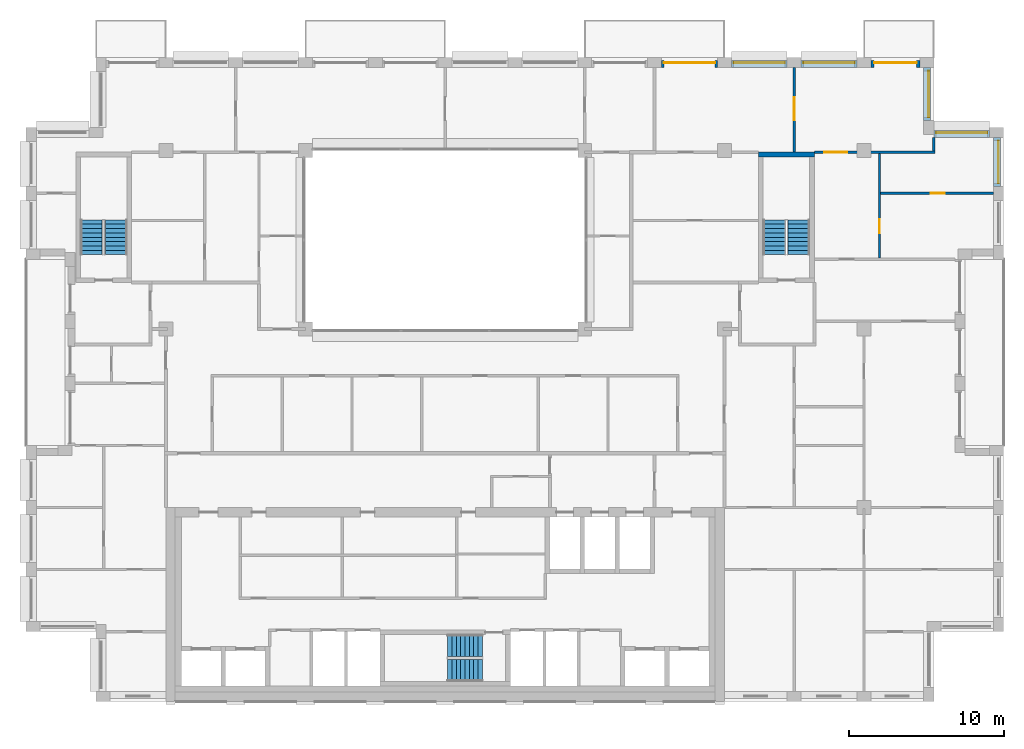
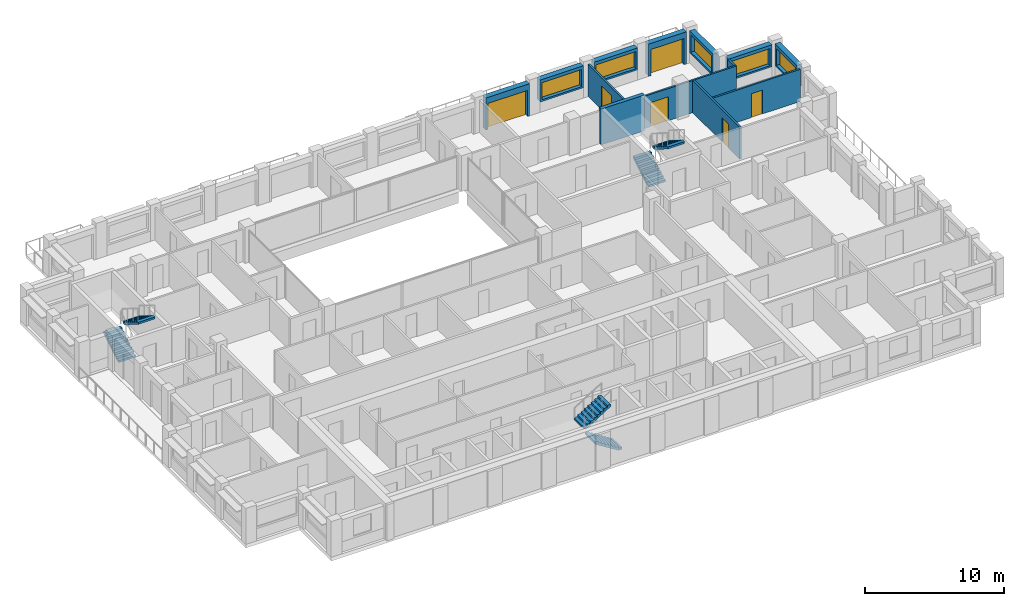
# One storey, part 14 of 15: 13 walls, 6 doors, 6 stair flights, 5 windows, 11 openings, 3 elements without a shape of their own.
"""IFC4 building model written with IfcOpenShell, lengths in metres."""

from ifc_helpers import new_model, si_unit, direction, frame, frame_2d, origin, place, context, subcontext, project, spatial, polyline, rectangle, outline, extrude, material, layer, layer_set, type_object, element, fill, aggregate, save


model = new_model("IFC4")

# Units and contexts
model_context = context("Model", 3, precision=1e-05, world=origin(), true_north=direction((0.0, 1.0)))
body_context = subcontext(model_context, "Body", "Model", "MODEL_VIEW")
ifc_project = project(units=[si_unit("LENGTHUNIT", "METRE"), si_unit("AREAUNIT", "SQUARE_METRE"), si_unit("VOLUMEUNIT", "CUBIC_METRE"), si_unit("PLANEANGLEUNIT", "RADIAN"), si_unit("MASSUNIT", "GRAM", prefix="KILO")], contexts=[model_context])

# Site, building, storey
site_placement = place(None, origin())
site = spatial("IfcSite", under=ifc_project, at=site_placement, CompositionType="ELEMENT")
building_placement = place(site_placement, origin())
building = spatial("IfcBuilding", under=site, at=building_placement, Name="Brigalow Station Residences", CompositionType="ELEMENT")
storey_placement = place(building_placement, frame((0.0, 0.0, 229.5)))
storey = spatial("IfcBuildingStorey", under=building, at=storey_placement, Name="L66", CompositionType="ELEMENT", Elevation=229.5)

# Wall, opening, window
ifc_material_1 = material(Name="Clay brick masonry", Category="masonry")
ifc_layer_1 = layer(ifc_material_1, 0.449951171875)
ifc_layer_set_1 = layer_set([ifc_layer_1], Name="BRICK INFILL WALL 450")
wall_type_1 = type_object("IfcWallType", Name="BRICK INFILL WALL 450", PredefinedType="SOLIDWALL", material=ifc_layer_set_1)
wall_1_placement = place(storey_placement, frame((71.574951171875, 33.199951171875, 0.89990234375), z_axis=(0.0, 0.0, 1.0), x_axis=(0.0, 1.0, 0.0)))
wall_1 = element("IfcWall", 1, at=wall_1_placement, inside=storey, type_object=wall_type_1, Name="L66/ewall/W-L66-17", PredefinedType="SOLIDWALL", context=body_context, shape_type="SweptSolid", body=[
    extrude(rectangle(XDim=3.150146484375, YDim=0.449951171875, at=frame_2d((1.5751953125, 0.0))), origin(), (0.0, 0.0, 1.0), 1.93017578125),
])
opening_1_placement = place(wall_1_placement, frame((0.199951171875, 0.0, 0.14990234375)))
opening_1 = element("IfcOpeningElement", 2, at=opening_1_placement, cuts=wall_1, Name="Opening WT-3", PredefinedType="OPENING", context=body_context, shape_type="SweptSolid", body=[
    extrude(rectangle(XDim=2.75, YDim=1.5, at=frame_2d((1.375, 0.75))), frame((0.0, 0.23486328125, 0.0), z_axis=(0.0, -1.0, 0.0), x_axis=(1.0, 0.0, 0.0)), (0.0, 0.0, 1.0), 0.469970703125),
])
ifc_material_2 = material(Name="Anodised aluminium frame with double glazing", Category="aluminium")
window_type_1 = type_object("IfcWindowType", Name="WINDOW 2750x1500", PartitioningType="SINGLE_PANEL", PredefinedType="WINDOW", material=ifc_material_2)
window_1_placement = place(opening_1_placement, origin())
window_1 = element("IfcWindow", 3, at=window_1_placement, inside=storey, type_object=window_type_1, Name="L66/window/W-L66-17", OverallHeight=1.5, OverallWidth=2.75, PartitioningType="SINGLE_PANEL", PredefinedType="WINDOW", context=body_context, shape_type="SweptSolid", body=[
    extrude(rectangle(XDim=2.75, YDim=1.5, at=frame_2d((1.375, 0.75))), frame((0.0, -0.06494140625, 0.0), z_axis=(0.0, -1.0, 0.0), x_axis=(1.0, 0.0, 0.0)), (0.0, 0.0, 1.0), 0.06005859375),
])
fill(opening_1, window_1)

wall_2_placement = place(storey_placement, frame((71.10009765625, 36.574951171875, 0.89990234375), z_axis=(0.0, 0.0, 1.0), x_axis=(-1.0, 0.0, 0.0)))
wall_2 = element("IfcWall", 4, at=wall_2_placement, inside=storey, type_object=wall_type_1, Name="L66/ewall/W-L66-18", PredefinedType="SOLIDWALL", context=body_context, shape_type="SweptSolid", body=[
    extrude(rectangle(XDim=3.60009765625, YDim=0.449951171875, at=frame_2d((1.800048828125, 0.0))), origin(), (0.0, 0.0, 1.0), 1.93017578125),
])
opening_2_placement = place(wall_2_placement, frame((0.14990234375, 0.0, 0.14990234375)))
opening_2 = element("IfcOpeningElement", 5, at=opening_2_placement, cuts=wall_2, Name="Opening WT-10", PredefinedType="OPENING", context=body_context, shape_type="SweptSolid", body=[
    extrude(rectangle(XDim=3.300048828125, YDim=1.5, at=frame_2d((1.64990234375, 0.75))), frame((0.0, 0.23486328125, 0.0), z_axis=(0.0, -1.0, 0.0), x_axis=(1.0, 0.0, 0.0)), (0.0, 0.0, 1.0), 0.469970703125),
])
ifc_material_3 = material(Name="Anodised aluminium frame with double glazing", Category="aluminium")
window_type_2 = type_object("IfcWindowType", Name="WINDOW 3300x1500", PartitioningType="SINGLE_PANEL", PredefinedType="WINDOW", material=ifc_material_3)
window_2_placement = place(opening_2_placement, origin())
window_2 = element("IfcWindow", 6, at=window_2_placement, inside=storey, type_object=window_type_2, Name="L66/window/W-L66-18", OverallHeight=1.5, OverallWidth=3.300048828125, PartitioningType="SINGLE_PANEL", PredefinedType="WINDOW", context=body_context, shape_type="SweptSolid", body=[
    extrude(rectangle(XDim=3.300048828125, YDim=1.5, at=frame_2d((1.64990234375, 0.75))), frame((0.0, -0.06494140625, 0.0), z_axis=(0.0, -1.0, 0.0), x_axis=(1.0, 0.0, 0.0)), (0.0, 0.0, 1.0), 0.06005859375),
])
fill(opening_2, window_2)

wall_3_placement = place(storey_placement, frame((67.074951171875, 37.449951171875, 0.89990234375), z_axis=(0.0, 0.0, 1.0), x_axis=(0.0, 1.0, 0.0)))
wall_3 = element("IfcWall", 7, at=wall_3_placement, inside=storey, type_object=wall_type_1, Name="L66/ewall/W-L66-19", PredefinedType="SOLIDWALL", context=body_context, shape_type="SweptSolid", body=[
    extrude(rectangle(XDim=3.400146484375, YDim=0.449951171875, at=frame_2d((1.7001953125, 0.0))), origin(), (0.0, 0.0, 1.0), 1.93017578125),
])
opening_3_placement = place(wall_3_placement, frame((0.199951171875, 0.0, 0.14990234375)))
opening_3 = element("IfcOpeningElement", 8, at=opening_3_placement, cuts=wall_3, Name="Opening WT-2", PredefinedType="OPENING", context=body_context, shape_type="SweptSolid", body=[
    extrude(rectangle(XDim=3.0, YDim=1.5, at=frame_2d((1.5, 0.75))), frame((0.0, 0.23486328125, 0.0), z_axis=(0.0, -1.0, 0.0), x_axis=(1.0, 0.0, 0.0)), (0.0, 0.0, 1.0), 0.469970703125),
])
ifc_material_4 = material(Name="Anodised aluminium frame with double glazing", Category="aluminium")
window_type_3 = type_object("IfcWindowType", Name="WINDOW 3000x1500", PartitioningType="SINGLE_PANEL", PredefinedType="WINDOW", material=ifc_material_4)
window_3_placement = place(opening_3_placement, origin())
window_3 = element("IfcWindow", 9, at=window_3_placement, inside=storey, type_object=window_type_3, Name="L66/window/W-L66-19", OverallHeight=1.5, OverallWidth=3.0, PartitioningType="SINGLE_PANEL", PredefinedType="WINDOW", context=body_context, shape_type="SweptSolid", body=[
    extrude(rectangle(XDim=3.0, YDim=1.5, at=frame_2d((1.5, 0.75))), frame((0.0, -0.06494140625, 0.0), z_axis=(0.0, -1.0, 0.0), x_axis=(1.0, 0.0, 0.0)), (0.0, 0.0, 1.0), 0.06005859375),
])
fill(opening_3, window_3)

# Wall, opening, door
wall_4_placement = place(storey_placement, frame((66.60009765625, 41.074951171875, 0.0), z_axis=(0.0, 0.0, 1.0), x_axis=(-1.0, 0.0, 0.0)))
wall_4 = element("IfcWall", 10, at=wall_4_placement, inside=storey, type_object=wall_type_1, Name="L66/ewall/W-L66-20", PredefinedType="SOLIDWALL", context=body_context, shape_type="SweptSolid", body=[
    extrude(rectangle(XDim=3.150146484375, YDim=0.449951171875, at=frame_2d((1.5751953125, 0.0))), origin(), (0.0, 0.0, 1.0), 2.830078125),
])
opening_4_placement = place(wall_4_placement, frame((0.199951171875, 0.0, 0.0)))
opening_4 = element("IfcOpeningElement", 11, at=opening_4_placement, cuts=wall_4, Name="Opening D-B2750", PredefinedType="OPENING", context=body_context, shape_type="SweptSolid", body=[
    extrude(rectangle(XDim=2.75, YDim=2.300048828125, at=frame_2d((1.375, 1.14990234375))), frame((0.0, 0.23486328125, 0.0), z_axis=(0.0, -1.0, 0.0), x_axis=(1.0, 0.0, 0.0)), (0.0, 0.0, 1.0), 0.469970703125),
])
ifc_material_5 = material(Name="Anodised aluminium frame with double glazing", Category="aluminium")
door_type_1 = type_object("IfcDoorType", Name="BALCONY SLIDING DOOR 2750x2300", OperationType="SLIDING_TO_LEFT", PredefinedType="DOOR", material=ifc_material_5)
door_1_placement = place(opening_4_placement, origin())
door_1 = element("IfcDoor", 12, at=door_1_placement, inside=storey, type_object=door_type_1, Name="L66/balcony-door/W-L66-20", OperationType="SLIDING_TO_LEFT", OverallHeight=2.300048828125, OverallWidth=2.75, PredefinedType="DOOR", context=body_context, shape_type="SweptSolid", body=[
    extrude(rectangle(XDim=2.75, YDim=2.300048828125, at=frame_2d((1.375, 1.14990234375))), frame((0.0, -0.06982421875, 0.0), z_axis=(0.0, -1.0, 0.0), x_axis=(1.0, 0.0, 0.0)), (0.0, 0.0, 1.0), 0.050048828125),
])
fill(opening_4, door_1)

# Wall, opening, window
wall_5_placement = place(storey_placement, frame((62.550048828125, 41.074951171875, 0.89990234375), z_axis=(0.0, 0.0, 1.0), x_axis=(-1.0, 0.0, 0.0)))
wall_5 = element("IfcWall", 13, at=wall_5_placement, inside=storey, type_object=wall_type_1, Name="L66/ewall/W-L66-21", PredefinedType="SOLIDWALL", context=body_context, shape_type="SweptSolid", body=[
    extrude(rectangle(XDim=3.60009765625, YDim=0.449951171875, at=frame_2d((1.800048828125, 0.0))), origin(), (0.0, 0.0, 1.0), 1.93017578125),
])
opening_5_placement = place(wall_5_placement, frame((0.14990234375, 0.0, 0.14990234375)))
opening_5 = element("IfcOpeningElement", 14, at=opening_5_placement, cuts=wall_5, Name="Opening WT-10", PredefinedType="OPENING", context=body_context, shape_type="SweptSolid", body=[
    extrude(rectangle(XDim=3.300048828125, YDim=1.5, at=frame_2d((1.64990234375, 0.75))), frame((0.0, 0.23486328125, 0.0), z_axis=(0.0, -1.0, 0.0), x_axis=(1.0, 0.0, 0.0)), (0.0, 0.0, 1.0), 0.469970703125),
])
window_4_placement = place(opening_5_placement, origin())
window_4 = element("IfcWindow", 15, at=window_4_placement, inside=storey, type_object=window_type_2, Name="L66/window/W-L66-21", OverallHeight=1.5, OverallWidth=3.300048828125, PartitioningType="SINGLE_PANEL", PredefinedType="WINDOW", context=body_context, shape_type="SweptSolid", body=[
    extrude(rectangle(XDim=3.300048828125, YDim=1.5, at=frame_2d((1.64990234375, 0.75))), frame((0.0, -0.06494140625, 0.0), z_axis=(0.0, -1.0, 0.0), x_axis=(1.0, 0.0, 0.0)), (0.0, 0.0, 1.0), 0.06005859375),
])
fill(opening_5, window_4)

wall_6_placement = place(storey_placement, frame((58.050048828125, 41.074951171875, 0.89990234375), z_axis=(0.0, 0.0, 1.0), x_axis=(-1.0, 0.0, 0.0)))
wall_6 = element("IfcWall", 16, at=wall_6_placement, inside=storey, type_object=wall_type_1, Name="L66/ewall/W-L66-22", PredefinedType="SOLIDWALL", context=body_context, shape_type="SweptSolid", body=[
    extrude(rectangle(XDim=3.60009765625, YDim=0.449951171875, at=frame_2d((1.800048828125, 0.0))), origin(), (0.0, 0.0, 1.0), 1.93017578125),
])
opening_6_placement = place(wall_6_placement, frame((0.14990234375, 0.0, 0.14990234375)))
opening_6 = element("IfcOpeningElement", 17, at=opening_6_placement, cuts=wall_6, Name="Opening WT-10", PredefinedType="OPENING", context=body_context, shape_type="SweptSolid", body=[
    extrude(rectangle(XDim=3.300048828125, YDim=1.5, at=frame_2d((1.64990234375, 0.75))), frame((0.0, 0.23486328125, 0.0), z_axis=(0.0, -1.0, 0.0), x_axis=(1.0, 0.0, 0.0)), (0.0, 0.0, 1.0), 0.469970703125),
])
window_5_placement = place(opening_6_placement, origin())
window_5 = element("IfcWindow", 18, at=window_5_placement, inside=storey, type_object=window_type_2, Name="L66/window/W-L66-22", OverallHeight=1.5, OverallWidth=3.300048828125, PartitioningType="SINGLE_PANEL", PredefinedType="WINDOW", context=body_context, shape_type="SweptSolid", body=[
    extrude(rectangle(XDim=3.300048828125, YDim=1.5, at=frame_2d((1.64990234375, 0.75))), frame((0.0, -0.06494140625, 0.0), z_axis=(0.0, -1.0, 0.0), x_axis=(1.0, 0.0, 0.0)), (0.0, 0.0, 1.0), 0.06005859375),
])
fill(opening_6, window_5)

# Wall, opening, door
wall_7_placement = place(storey_placement, frame((53.550048828125, 41.074951171875, 0.0), z_axis=(0.0, 0.0, 1.0), x_axis=(-1.0, 0.0, 0.0)))
wall_7 = element("IfcWall", 19, at=wall_7_placement, inside=storey, type_object=wall_type_1, Name="L66/ewall/W-L66-23", PredefinedType="SOLIDWALL", context=body_context, shape_type="SweptSolid", body=[
    extrude(rectangle(XDim=3.60009765625, YDim=0.449951171875, at=frame_2d((1.800048828125, 0.0))), origin(), (0.0, 0.0, 1.0), 2.830078125),
])
opening_7_placement = place(wall_7_placement, frame((0.14990234375, 0.0, 0.0)))
opening_7 = element("IfcOpeningElement", 20, at=opening_7_placement, cuts=wall_7, Name="Opening D-B3300", PredefinedType="OPENING", context=body_context, shape_type="SweptSolid", body=[
    extrude(rectangle(XDim=3.300048828125, YDim=2.300048828125, at=frame_2d((1.64990234375, 1.14990234375))), frame((0.0, 0.23486328125, 0.0), z_axis=(0.0, -1.0, 0.0), x_axis=(1.0, 0.0, 0.0)), (0.0, 0.0, 1.0), 0.469970703125),
])
ifc_material_6 = material(Name="Anodised aluminium frame with double glazing", Category="aluminium")
door_type_2 = type_object("IfcDoorType", Name="BALCONY SLIDING DOOR 3300x2300", OperationType="SLIDING_TO_LEFT", PredefinedType="DOOR", material=ifc_material_6)
door_2_placement = place(opening_7_placement, origin())
door_2 = element("IfcDoor", 21, at=door_2_placement, inside=storey, type_object=door_type_2, Name="L66/balcony-door/W-L66-23", OperationType="SLIDING_TO_LEFT", OverallHeight=2.300048828125, OverallWidth=3.300048828125, PredefinedType="DOOR", context=body_context, shape_type="SweptSolid", body=[
    extrude(rectangle(XDim=3.300048828125, YDim=2.300048828125, at=frame_2d((1.64990234375, 1.14990234375))), frame((0.0, -0.06982421875, 0.0), z_axis=(0.0, -1.0, 0.0), x_axis=(1.0, 0.0, 0.0)), (0.0, 0.0, 1.0), 0.050048828125),
])
fill(opening_7, door_2)

# Wall
ifc_material_7 = material(Name="Concrete C50", Category="concrete")
ifc_layer_2 = layer(ifc_material_7, 0.300048828125)
ifc_layer_set_2 = layer_set([ifc_layer_2], Name="CORE SHEAR WALL 300 C50")
wall_type_2 = type_object("IfcWallType", Name="CORE SHEAR WALL 300 C50", PredefinedType="SHEAR", material=ifc_layer_set_2)
wall_8_placement = place(storey_placement, frame((56.199951171875, 35.25, 0.0), z_axis=(0.0, 0.0, 1.0), x_axis=(1.0, 0.0, 0.0)))
element("IfcWall", 22, at=wall_8_placement, inside=storey, type_object=wall_type_2, Name="CORE WALL ST-S3-N L66", PredefinedType="SHEAR", context=body_context, shape_type="SweptSolid", body=[
    extrude(rectangle(XDim=3.60009765625, YDim=0.300048828125, at=frame_2d((1.800048828125, 0.0))), origin(), (0.0, 0.0, 1.0), 3.14990234375),
])

# Wall, opening, door
ifc_material_8 = material(Name="Plasterboard on steel stud partition", Category="steel")
ifc_layer_3 = layer(ifc_material_8, 0.14990234375)
ifc_layer_set_3 = layer_set([ifc_layer_3], Name="FLAT PARTITION 150")
wall_type_3 = type_object("IfcWallType", Name="FLAT PARTITION 150", PredefinedType="PARTITIONING", material=ifc_layer_set_3)
wall_9_placement = place(storey_placement, frame((59.800048828125, 35.39990234375, 0.0), z_axis=(0.0, 0.0, 1.0), x_axis=(1.0, 0.0, 0.0)))
wall_9 = element("IfcWall", 23, at=wall_9_placement, inside=storey, type_object=wall_type_3, Name="PW-4E22", PredefinedType="PARTITIONING", context=body_context, shape_type="SweptSolid", body=[
    extrude(rectangle(XDim=7.77490234375, YDim=0.14990234375, at=frame_2d((3.887451171875, 0.0))), origin(), (0.0, 0.0, 1.0), 2.830078125),
])
opening_8_placement = place(wall_9_placement, frame((0.625, 0.0, 0.0)))
opening_8 = element("IfcOpeningElement", 24, at=opening_8_placement, cuts=wall_9, Name="Opening D-4E39", PredefinedType="OPENING", context=body_context, shape_type="SweptSolid", body=[
    extrude(rectangle(XDim=1.5, YDim=2.10009765625, at=frame_2d((0.75, 1.050048828125))), frame((0.0, 0.0849609375, 0.0), z_axis=(0.0, -1.0, 0.0), x_axis=(1.0, 0.0, 0.0)), (0.0, 0.0, 1.0), 0.169921875),
])
ifc_material_9 = material(Name="Solid-core timber door leaf", Category="wood")
door_type_3 = type_object("IfcDoorType", Name="INTERNAL DOUBLE DOOR 1500 x 2100", OperationType="DOUBLE_DOOR_SINGLE_SWING", PredefinedType="DOOR", material=ifc_material_9)
door_3_placement = place(opening_8_placement, origin())
door_3 = element("IfcDoor", 25, at=door_3_placement, inside=storey, type_object=door_type_3, Name="D-4E39", OperationType="DOUBLE_DOOR_SINGLE_SWING", OverallHeight=2.10009765625, OverallWidth=1.5, PredefinedType="DOOR", context=body_context, shape_type="SweptSolid", body=[
    extrude(rectangle(XDim=1.5, YDim=2.10009765625, at=frame_2d((0.75, 1.050048828125))), frame((0.0, 0.02490234375, 0.0), z_axis=(0.0, -1.0, 0.0), x_axis=(1.0, 0.0, 0.0)), (0.0, 0.0, 1.0), 0.050048828125),
])
fill(opening_8, door_3)

wall_10_placement = place(storey_placement, frame((64.074951171875, 32.75, 0.0), z_axis=(0.0, 0.0, 1.0), x_axis=(1.0, 0.0, 0.0)))
wall_10 = element("IfcWall", 26, at=wall_10_placement, inside=storey, type_object=wall_type_3, Name="PW-4E27", PredefinedType="PARTITIONING", context=body_context, shape_type="SweptSolid", body=[
    extrude(rectangle(XDim=7.275146484375, YDim=0.14990234375, at=frame_2d((3.6376953125, 0.0))), origin(), (0.0, 0.0, 1.0), 2.830078125),
])
opening_9_placement = place(wall_10_placement, frame((3.22509765625, 0.0, 0.0)))
opening_9 = element("IfcOpeningElement", 27, at=opening_9_placement, cuts=wall_10, Name="Opening D-4E40", PredefinedType="OPENING", context=body_context, shape_type="SweptSolid", body=[
    extrude(rectangle(XDim=0.89990234375, YDim=2.10009765625, at=frame_2d((0.449951171875, 1.050048828125))), frame((0.0, 0.0849609375, 0.0), z_axis=(0.0, -1.0, 0.0), x_axis=(1.0, 0.0, 0.0)), (0.0, 0.0, 1.0), 0.169921875),
])
ifc_material_10 = material(Name="Solid-core timber door leaf", Category="wood")
door_type_4 = type_object("IfcDoorType", Name="INTERNAL DOOR 900 x 2100", OperationType="SINGLE_SWING_LEFT", PredefinedType="DOOR", material=ifc_material_10)
door_4_placement = place(opening_9_placement, origin())
door_4 = element("IfcDoor", 28, at=door_4_placement, inside=storey, type_object=door_type_4, Name="D-4E40", OperationType="SINGLE_SWING_RIGHT", OverallHeight=2.10009765625, OverallWidth=0.89990234375, PredefinedType="DOOR", context=body_context, shape_type="SweptSolid", body=[
    extrude(rectangle(XDim=0.89990234375, YDim=2.10009765625, at=frame_2d((0.449951171875, 1.050048828125))), frame((0.0, 0.02490234375, 0.0), z_axis=(0.0, -1.0, 0.0), x_axis=(1.0, 0.0, 0.0)), (0.0, 0.0, 1.0), 0.050048828125),
])
fill(opening_9, door_4)

wall_11_placement = place(storey_placement, frame((58.5, 35.39990234375, 0.0), z_axis=(0.0, 0.0, 1.0), x_axis=(0.0, 1.0, 0.0)))
wall_11 = element("IfcWall", 29, at=wall_11_placement, inside=storey, type_object=wall_type_3, Name="PW-4E48", PredefinedType="PARTITIONING", context=body_context, shape_type="SweptSolid", body=[
    extrude(rectangle(XDim=5.4501953125, YDim=0.14990234375, at=frame_2d((2.72509765625, 0.0))), origin(), (0.0, 0.0, 1.0), 2.830078125),
])
opening_10_placement = place(wall_11_placement, frame((2.050048828125, 0.0, 0.0)))
opening_10 = element("IfcOpeningElement", 30, at=opening_10_placement, cuts=wall_11, Name="Opening D-4E41", PredefinedType="OPENING", context=body_context, shape_type="SweptSolid", body=[
    extrude(rectangle(XDim=1.5, YDim=2.10009765625, at=frame_2d((0.75, 1.050048828125))), frame((0.0, 0.0849609375, 0.0), z_axis=(0.0, -1.0, 0.0), x_axis=(1.0, 0.0, 0.0)), (0.0, 0.0, 1.0), 0.169921875),
])
door_5_placement = place(opening_10_placement, frame((1.5, 0.0, 0.0), z_axis=(0.0, 0.0, 1.0), x_axis=(-1.0, 0.0, 0.0)))
door_5 = element("IfcDoor", 31, at=door_5_placement, inside=storey, type_object=door_type_3, Name="D-4E41", OperationType="DOUBLE_DOOR_SINGLE_SWING", OverallHeight=2.10009765625, OverallWidth=1.5, PredefinedType="DOOR", context=body_context, shape_type="SweptSolid", body=[
    extrude(rectangle(XDim=1.5, YDim=2.10009765625, at=frame_2d((0.75, 1.050048828125))), frame((0.0, 0.02490234375, 0.0), z_axis=(0.0, -1.0, 0.0), x_axis=(1.0, 0.0, 0.0)), (0.0, 0.0, 1.0), 0.050048828125),
])
fill(opening_10, door_5)

wall_12_placement = place(storey_placement, frame((64.0, 28.574951171875, 0.0), z_axis=(0.0, 0.0, 1.0), x_axis=(0.0, 1.0, 0.0)))
wall_12 = element("IfcWall", 32, at=wall_12_placement, inside=storey, type_object=wall_type_3, Name="PW-4E52", PredefinedType="PARTITIONING", context=body_context, shape_type="SweptSolid", body=[
    extrude(rectangle(XDim=6.75, YDim=0.14990234375, at=frame_2d((3.375, 0.0))), origin(), (0.0, 0.0, 1.0), 2.830078125),
])
opening_11_placement = place(wall_12_placement, frame((1.60009765625, 0.0, 0.0)))
opening_11 = element("IfcOpeningElement", 33, at=opening_11_placement, cuts=wall_12, Name="Opening D-4E38", PredefinedType="OPENING", context=body_context, shape_type="SweptSolid", body=[
    extrude(rectangle(XDim=0.89990234375, YDim=2.10009765625, at=frame_2d((0.449951171875, 1.050048828125))), frame((0.0, 0.0849609375, 0.0), z_axis=(0.0, -1.0, 0.0), x_axis=(1.0, 0.0, 0.0)), (0.0, 0.0, 1.0), 0.169921875),
])
door_6_placement = place(opening_11_placement, frame((0.89990234375, 0.0, 0.0), z_axis=(0.0, 0.0, 1.0), x_axis=(-1.0, 0.0, 0.0)))
door_6 = element("IfcDoor", 34, at=door_6_placement, inside=storey, type_object=door_type_4, Name="D-4E38", OperationType="SINGLE_SWING_LEFT", OverallHeight=2.10009765625, OverallWidth=0.89990234375, PredefinedType="DOOR", context=body_context, shape_type="SweptSolid", body=[
    extrude(rectangle(XDim=0.89990234375, YDim=2.10009765625, at=frame_2d((0.449951171875, 1.050048828125))), frame((0.0, 0.02490234375, 0.0), z_axis=(0.0, -1.0, 0.0), x_axis=(1.0, 0.0, 0.0)), (0.0, 0.0, 1.0), 0.050048828125),
])
fill(opening_11, door_6)

# Wall
wall_13_placement = place(storey_placement, frame((67.5, 35.47509765625, 0.0), z_axis=(0.0, 0.0, 1.0), x_axis=(0.0, 1.0, 0.0)))
element("IfcWall", 35, at=wall_13_placement, inside=storey, type_object=wall_type_3, Name="PW-4E53", PredefinedType="PARTITIONING", context=body_context, shape_type="SweptSolid", body=[
    extrude(rectangle(XDim=0.875, YDim=0.14990234375, at=frame_2d((0.4375, 0.0))), origin(), (0.0, 0.0, 1.0), 2.830078125),
])

# Stair, stair flights
ifc_material_11 = material(Name="Concrete C50", Category="concrete")
stair_type = type_object("IfcStairType", Name="EXIT STAIR 1400 2 FLIGHT", PredefinedType="HALF_TURN_STAIR", material=ifc_material_11)
stair_1_placement = place(storey_placement, origin())
stair_1 = element("IfcStair", 36, at=stair_1_placement, inside=storey, type_object=stair_type, Name="EXIT STAIR S2 L66", PredefinedType="HALF_TURN_STAIR")
ifc_material_12 = material(Name="Concrete C50", Category="concrete")
stair_flight_type = type_object("IfcStairFlightType", Name="STAIR FLIGHT 1400", PredefinedType="STRAIGHT", material=ifc_material_12)
stair_flight_1_placement = place(storey_placement, frame((38.39990234375, 2.0, 0.0), z_axis=(0.0, 0.0, 1.0), x_axis=(-1.0, 0.0, 0.0)))
stair_flight_1 = element("IfcStairFlight", 37, at=stair_flight_1_placement, type_object=stair_flight_type, Name="ST-2 flight 1", NumberOfRisers=9, NumberOfTreads=8, PredefinedType="STRAIGHT", RiserHeight=0.175, TreadLength=0.28, context=body_context, shape_type="SweptSolid", body=[
    extrude(outline(polyline([(0.0, 0.0), (0.0, 0.175048828125), (0.280029296875, 0.175048828125), (0.280029296875, 0.35009765625), (0.56005859375, 0.35009765625), (0.56005859375, 0.52490234375), (0.840087890625, 0.52490234375), (0.840087890625, 0.699951171875), (1.1201171875, 0.699951171875), (1.1201171875, 0.875), (1.39990234375, 0.875), (1.39990234375, 1.050048828125), (1.679931640625, 1.050048828125), (1.679931640625, 1.22509765625), (1.9599609375, 1.22509765625), (1.9599609375, 1.39990234375), (2.239990234375, 1.39990234375), (2.239990234375, 1.574951171875), (2.239990234375, 1.22314453125), (0.28271484375, 0.0), (0.0, 0.0)])), frame((0.0, 0.699951171875, 0.0), z_axis=(0.0, -1.0, 0.0), x_axis=(1.0, 0.0, 0.0)), (0.0, 0.0, 1.0), 1.39990234375),
])
stair_flight_2_placement = place(storey_placement, frame((36.159912109375, 3.60009765625, 1.574951171875), z_axis=(0.0, 0.0, 1.0), x_axis=(1.0, 0.0, 0.0)))
stair_flight_2 = element("IfcStairFlight", 38, at=stair_flight_2_placement, type_object=stair_flight_type, Name="ST-2 flight 2", NumberOfRisers=9, NumberOfTreads=8, PredefinedType="STRAIGHT", RiserHeight=0.175, TreadLength=0.28, context=body_context, shape_type="SweptSolid", body=[
    extrude(outline(polyline([(0.0, 0.0), (0.0, 0.175048828125), (0.280029296875, 0.175048828125), (0.280029296875, 0.35009765625), (0.56005859375, 0.35009765625), (0.56005859375, 0.52490234375), (0.840087890625, 0.52490234375), (0.840087890625, 0.699951171875), (1.1201171875, 0.699951171875), (1.1201171875, 0.875), (1.39990234375, 0.875), (1.39990234375, 1.050048828125), (1.679931640625, 1.050048828125), (1.679931640625, 1.22509765625), (1.9599609375, 1.22509765625), (1.9599609375, 1.39990234375), (2.239990234375, 1.39990234375), (2.239990234375, 1.574951171875), (2.239990234375, 1.22314453125), (0.28271484375, 0.0), (0.0, 0.0)])), frame((0.0, 0.699951171875, 0.0), z_axis=(0.0, -1.0, 0.0), x_axis=(1.0, 0.0, 0.0)), (0.0, 0.0, 1.0), 1.39990234375),
])
aggregate(stair_1, [stair_flight_1, stair_flight_2])

stair_2_placement = place(storey_placement, origin())
stair_2 = element("IfcStair", 39, at=stair_2_placement, inside=storey, type_object=stair_type, Name="EXIT STAIR S1 L66", PredefinedType="HALF_TURN_STAIR")
stair_flight_3_placement = place(storey_placement, frame((13.199951171875, 28.800048828125, 0.0), z_axis=(0.0, 0.0, 1.0), x_axis=(0.0, 1.0, 0.0)))
stair_flight_3 = element("IfcStairFlight", 40, at=stair_flight_3_placement, type_object=stair_flight_type, Name="ST-1 flight 1", NumberOfRisers=9, NumberOfTreads=8, PredefinedType="STRAIGHT", RiserHeight=0.175, TreadLength=0.28, context=body_context, shape_type="SweptSolid", body=[
    extrude(outline(polyline([(0.0, 0.0), (0.0, 0.175048828125), (0.280029296875, 0.175048828125), (0.280029296875, 0.35009765625), (0.56005859375, 0.35009765625), (0.56005859375, 0.52490234375), (0.840087890625, 0.52490234375), (0.840087890625, 0.699951171875), (1.1201171875, 0.699951171875), (1.1201171875, 0.875), (1.39990234375, 0.875), (1.39990234375, 1.050048828125), (1.679931640625, 1.050048828125), (1.679931640625, 1.22509765625), (1.9599609375, 1.22509765625), (1.9599609375, 1.39990234375), (2.239990234375, 1.39990234375), (2.239990234375, 1.574951171875), (2.239990234375, 1.22314453125), (0.28271484375, 0.0), (0.0, 0.0)])), frame((0.0, 0.699951171875, 0.0), z_axis=(0.0, -1.0, 0.0), x_axis=(1.0, 0.0, 0.0)), (0.0, 0.0, 1.0), 1.39990234375),
])
stair_flight_4_placement = place(storey_placement, frame((14.800048828125, 31.0400390625, 1.574951171875), z_axis=(0.0, 0.0, 1.0), x_axis=(0.0, -1.0, 0.0)))
stair_flight_4 = element("IfcStairFlight", 41, at=stair_flight_4_placement, type_object=stair_flight_type, Name="ST-1 flight 2", NumberOfRisers=9, NumberOfTreads=8, PredefinedType="STRAIGHT", RiserHeight=0.175, TreadLength=0.28, context=body_context, shape_type="SweptSolid", body=[
    extrude(outline(polyline([(0.0, 0.0), (0.0, 0.175048828125), (0.280029296875, 0.175048828125), (0.280029296875, 0.35009765625), (0.56005859375, 0.35009765625), (0.56005859375, 0.52490234375), (0.840087890625, 0.52490234375), (0.840087890625, 0.699951171875), (1.1201171875, 0.699951171875), (1.1201171875, 0.875), (1.39990234375, 0.875), (1.39990234375, 1.050048828125), (1.679931640625, 1.050048828125), (1.679931640625, 1.22509765625), (1.9599609375, 1.22509765625), (1.9599609375, 1.39990234375), (2.239990234375, 1.39990234375), (2.239990234375, 1.574951171875), (2.239990234375, 1.22314453125), (0.28271484375, 0.0), (0.0, 0.0)])), frame((0.0, 0.699951171875, 0.0), z_axis=(0.0, -1.0, 0.0), x_axis=(1.0, 0.0, 0.0)), (0.0, 0.0, 1.0), 1.39990234375),
])
aggregate(stair_2, [stair_flight_3, stair_flight_4])

stair_3_placement = place(storey_placement, origin())
stair_3 = element("IfcStair", 42, at=stair_3_placement, inside=storey, type_object=stair_type, Name="EXIT STAIR S3 L66", PredefinedType="HALF_TURN_STAIR")
stair_flight_5_placement = place(storey_placement, frame((57.199951171875, 28.800048828125, 0.0), z_axis=(0.0, 0.0, 1.0), x_axis=(0.0, 1.0, 0.0)))
stair_flight_5 = element("IfcStairFlight", 43, at=stair_flight_5_placement, type_object=stair_flight_type, Name="ST-3 flight 1", NumberOfRisers=9, NumberOfTreads=8, PredefinedType="STRAIGHT", RiserHeight=0.175, TreadLength=0.28, context=body_context, shape_type="SweptSolid", body=[
    extrude(outline(polyline([(0.0, 0.0), (0.0, 0.175048828125), (0.280029296875, 0.175048828125), (0.280029296875, 0.35009765625), (0.56005859375, 0.35009765625), (0.56005859375, 0.52490234375), (0.840087890625, 0.52490234375), (0.840087890625, 0.699951171875), (1.1201171875, 0.699951171875), (1.1201171875, 0.875), (1.39990234375, 0.875), (1.39990234375, 1.050048828125), (1.679931640625, 1.050048828125), (1.679931640625, 1.22509765625), (1.9599609375, 1.22509765625), (1.9599609375, 1.39990234375), (2.239990234375, 1.39990234375), (2.239990234375, 1.574951171875), (2.239990234375, 1.22314453125), (0.28271484375, 0.0), (0.0, 0.0)])), frame((0.0, 0.699951171875, 0.0), z_axis=(0.0, -1.0, 0.0), x_axis=(1.0, 0.0, 0.0)), (0.0, 0.0, 1.0), 1.39990234375),
])
stair_flight_6_placement = place(storey_placement, frame((58.800048828125, 31.0400390625, 1.574951171875), z_axis=(0.0, 0.0, 1.0), x_axis=(0.0, -1.0, 0.0)))
stair_flight_6 = element("IfcStairFlight", 44, at=stair_flight_6_placement, type_object=stair_flight_type, Name="ST-3 flight 2", NumberOfRisers=9, NumberOfTreads=8, PredefinedType="STRAIGHT", RiserHeight=0.175, TreadLength=0.28, context=body_context, shape_type="SweptSolid", body=[
    extrude(outline(polyline([(0.0, 0.0), (0.0, 0.175048828125), (0.280029296875, 0.175048828125), (0.280029296875, 0.35009765625), (0.56005859375, 0.35009765625), (0.56005859375, 0.52490234375), (0.840087890625, 0.52490234375), (0.840087890625, 0.699951171875), (1.1201171875, 0.699951171875), (1.1201171875, 0.875), (1.39990234375, 0.875), (1.39990234375, 1.050048828125), (1.679931640625, 1.050048828125), (1.679931640625, 1.22509765625), (1.9599609375, 1.22509765625), (1.9599609375, 1.39990234375), (2.239990234375, 1.39990234375), (2.239990234375, 1.574951171875), (2.239990234375, 1.22314453125), (0.28271484375, 0.0), (0.0, 0.0)])), frame((0.0, 0.699951171875, 0.0), z_axis=(0.0, -1.0, 0.0), x_axis=(1.0, 0.0, 0.0)), (0.0, 0.0, 1.0), 1.39990234375),
])
aggregate(stair_3, [stair_flight_5, stair_flight_6])

save(model, "model.ifc")
